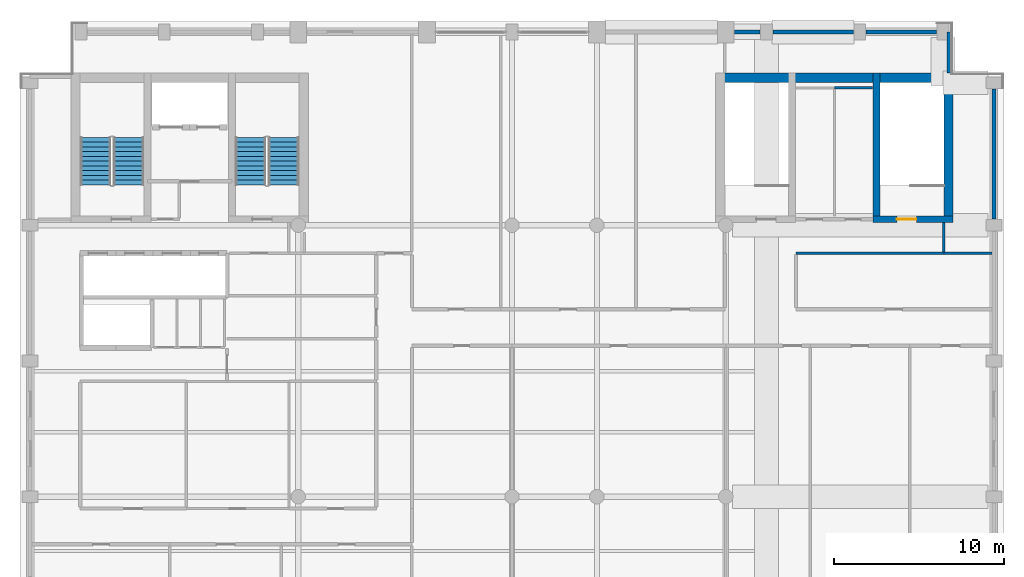
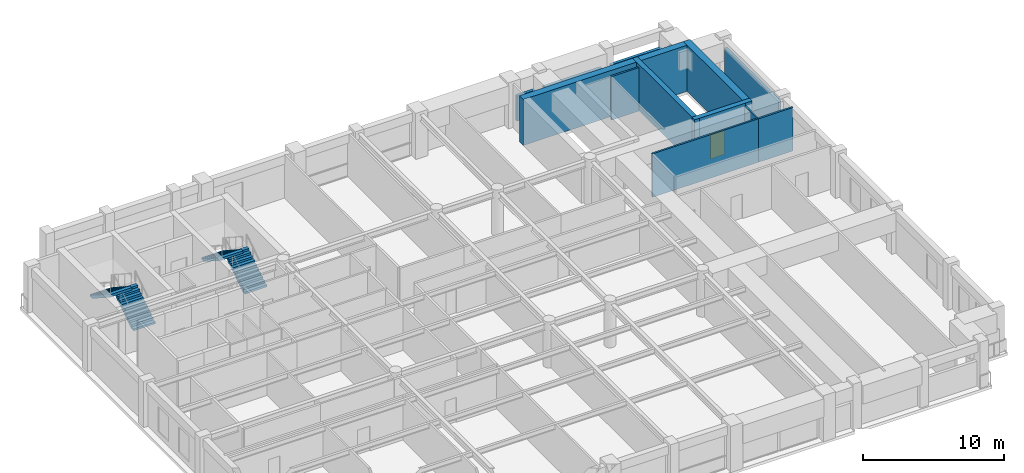
# One storey, part 11 of 14: 13 walls, 4 stair flights, 1 door, 1 opening, 2 elements without a shape of their own.
"""IFC4 building model written with IfcOpenShell, lengths in metres."""

import ifcopenshell
import ifcopenshell.guid

model = None  # the IFC model being written
_history = None  # IfcOwnerHistory: only IFC2X3 demands one
_inside = {}  # id of a spatial element -> (the spatial element, [elements in it])
_under = {}  # id of a project, library or spatial element -> (it, [spatial elements below it])
_declared = {}  # id of a project -> (the project, [libraries it declares])
_typed = {}  # id of a type object -> (the type object, [elements of that type])
_made_of = {}  # id of a material, layer set ... -> (it, [elements and type objects made of it])


def new_model(schema):
    """Start an empty IFC model of exactly this schema.

    Asked for "IFC4X3", IfcOpenShell would pick the latest addendum, in which some entities
    have other attributes; the version numbers below select the first issue.
    IFC2X3 requires an IfcOwnerHistory on every rooted entity: one is made here for all.
    """
    global model, _history
    if schema == "IFC4X3":
        model = ifcopenshell.file(schema_version=(4, 3, 0, 0))
    else:
        model = ifcopenshell.file(schema=schema)
    _inside.clear()
    _under.clear()
    _declared.clear()
    _typed.clear()
    _made_of.clear()
    _history = None
    if model.schema == "IFC2X3":
        org = make("IfcOrganization", Name="unknown")
        user = make(
            "IfcPersonAndOrganization",
            ThePerson=make("IfcPerson", FamilyName="unknown"),
            TheOrganization=org,
        )
        app = make(
            "IfcApplication",
            ApplicationDeveloper=org,
            Version="unknown",
            ApplicationFullName="unknown",
            ApplicationIdentifier="unknown",
        )
        _history = make(
            "IfcOwnerHistory",
            OwningUser=user,
            OwningApplication=app,
            ChangeAction="ADDED",
            CreationDate=0,
        )
    return model


def make(cls, **values):
    """One entity of the class cls with the attributes given. An attribute that is None is left unset."""
    return model.create_entity(
        cls, **{name: value for name, value in values.items() if value is not None}
    )


def rooted(cls, **values):
    """An entity with a GlobalId (a new one), such as an element, a storey or a relation."""
    return make(cls, GlobalId=ifcopenshell.guid.new(), OwnerHistory=_history, **values)


def si_unit(unit_type, name, prefix=None):
    """IfcSIUnit, for example si_unit("LENGTHUNIT", "METRE", prefix="MILLI")."""
    return make("IfcSIUnit", UnitType=unit_type, Prefix=prefix, Name=name)


def assignment(units):
    """IfcUnitAssignment: the units of a project."""
    return None if units is None else make("IfcUnitAssignment", Units=units)


def point(xyz):
    """IfcCartesianPoint."""
    return None if xyz is None else make("IfcCartesianPoint", Coordinates=xyz)


def direction(xyz):
    """IfcDirection."""
    return None if xyz is None else make("IfcDirection", DirectionRatios=xyz)


def frame(location, z_axis=None, x_axis=None):
    """IfcAxis2Placement3D, a coordinate frame: its origin and axes. An axis left out is left unset."""
    return make(
        "IfcAxis2Placement3D",
        Location=point(location),
        Axis=direction(z_axis),
        RefDirection=direction(x_axis),
    )


def frame_2d(location, x_axis=None):
    """IfcAxis2Placement2D, a coordinate frame in the plane: its origin and x axis."""
    return make(
        "IfcAxis2Placement2D", Location=point(location), RefDirection=direction(x_axis)
    )


def origin():
    """The frame at (0, 0, 0) with its axes left unset."""
    return frame((0.0, 0.0, 0.0))


def place(relative_to, where):
    """IfcLocalPlacement: puts the frame where relative to a parent placement (None: the world)."""
    return make(
        "IfcLocalPlacement", PlacementRelTo=relative_to, RelativePlacement=where
    )


def context(
    kind, dimensions, precision=None, world=None, true_north=None, identifier=None
):
    """IfcGeometricRepresentationContext, for example the 3D "Model" context."""
    return make(
        "IfcGeometricRepresentationContext",
        ContextIdentifier=identifier,
        ContextType=kind,
        CoordinateSpaceDimension=dimensions,
        Precision=precision,
        WorldCoordinateSystem=world,
        TrueNorth=true_north,
    )


def subcontext(parent, identifier, kind, view, scale=None):
    """IfcGeometricRepresentationSubContext, for example "Body" below "Model"."""
    return make(
        "IfcGeometricRepresentationSubContext",
        ContextIdentifier=identifier,
        ContextType=kind,
        ParentContext=parent,
        TargetScale=scale,
        TargetView=view,
    )


def project(units=None, contexts=None):
    """IfcProject with its units and contexts."""
    return rooted(
        "IfcProject",
        Name="project",
        RepresentationContexts=contexts,
        UnitsInContext=assignment(units),
    )


def spatial(cls, under=None, at=None, **own):
    """A site, building, storey or space (cls), placed at a placement, below another one or the project."""
    s = rooted(cls, ObjectPlacement=at, **own)
    if under is not None:
        _under.setdefault(under.id(), (under, []))[1].append(s)
    return s


def polyline(points):
    """IfcPolyline through the points."""
    return make("IfcPolyline", Points=[point(p) for p in points])


def profile(cls, at=None, kind="AREA", **sizes):
    """A parametric profile (cls). Its sizes go by their IFC names, for example OverallWidth=200.0."""
    return make(cls, ProfileType=kind, Position=at, **sizes)


def rectangle(**sizes):
    """IfcRectangleProfileDef."""
    return profile("IfcRectangleProfileDef", **sizes)


def outline(outer, holes=None, kind="AREA"):
    """IfcArbitraryClosedProfileDef: a profile drawn as a closed curve; with holes, ...WithVoids."""
    if holes is None:
        return make("IfcArbitraryClosedProfileDef", ProfileType=kind, OuterCurve=outer)
    return make(
        "IfcArbitraryProfileDefWithVoids",
        ProfileType=kind,
        OuterCurve=outer,
        InnerCurves=holes,
    )


def extrude(swept, where, along, depth):
    """IfcExtrudedAreaSolid: the profile swept, set in the frame where, extruded along a direction by depth."""
    return make(
        "IfcExtrudedAreaSolid",
        SweptArea=swept,
        Position=where,
        ExtrudedDirection=direction(along),
        Depth=depth,
    )


def shape(context_of_items, identifier, shape_type, items):
    """IfcShapeRepresentation: the items that make up one representation, for example the "Body"."""
    return make(
        "IfcShapeRepresentation",
        ContextOfItems=context_of_items,
        RepresentationIdentifier=identifier,
        RepresentationType=shape_type,
        Items=items,
    )


def material(Name=None, Category=None):
    """IfcMaterial."""
    return make("IfcMaterial", Name=Name, Category=Category)


def layer(
    of_material, thickness, ventilated=None, Name=None, Category=None, Priority=None
):
    """IfcMaterialLayer: one layer of a wall or slab, of a material (None: an air gap)."""
    return make(
        "IfcMaterialLayer",
        Material=of_material,
        LayerThickness=thickness,
        IsVentilated=ventilated,
        Name=Name,
        Category=Category,
        Priority=Priority,
    )


def layer_set(layers, Name=None):
    """IfcMaterialLayerSet."""
    return make("IfcMaterialLayerSet", MaterialLayers=layers, LayerSetName=Name)


def made_of(thing, what):
    """Note that an element or type object is made of a material, layer set ...; save() writes the relation."""
    if what is not None:
        _made_of.setdefault(what.id(), (what, []))[1].append(thing)
    return thing


def type_object(cls, material=None, **own):
    """A type object (cls), such as IfcWallType, which elements share."""
    return made_of(rooted(cls, **own), material)


def element(
    cls,
    number,
    at=None,
    inside=None,
    cuts=None,
    type_object=None,
    material=None,
    context=None,
    identifier="Body",
    shape_type=None,
    held_by="IfcProductDefinitionShape",
    body=None,
    shapes=None,
    **own,
):
    """One element of the class cls, such as IfcWall. Its Tag is "e" and its number.

    at: its placement. inside: the storey or other place that contains it. cuts: it is an
    opening in that element (IfcRelVoidsElement). A single representation is given by context,
    identifier, shape_type and body (its items); several are given by shapes. held_by: the class
    of the entity that holds the representations. save() writes the other relations.
    """
    e = rooted(cls, Tag="e%d" % number, ObjectPlacement=at, **own)
    if body is not None:
        shapes = [shape(context, identifier, shape_type, body)]
    if shapes is not None:
        e.Representation = make(held_by, Representations=shapes)
    if inside is not None:
        _inside.setdefault(inside.id(), (inside, []))[1].append(e)
    if cuts is not None:
        rooted(
            "IfcRelVoidsElement", RelatingBuildingElement=cuts, RelatedOpeningElement=e
        )
    if type_object is not None:
        _typed.setdefault(type_object.id(), (type_object, []))[1].append(e)
    return made_of(e, material)


def fill(opening, filler):
    """IfcRelFillsElement: the door or window that sits in an opening."""
    return rooted(
        "IfcRelFillsElement",
        RelatingOpeningElement=opening,
        RelatedBuildingElement=filler,
    )


def aggregate(whole, parts):
    """IfcRelAggregates: a whole, such as a stair, and the parts it consists of."""
    return rooted("IfcRelAggregates", RelatingObject=whole, RelatedObjects=parts)


def save(model, path):
    """Write the relations noted so far, then the file.

    IfcRelAggregates (storeys below a building ...), IfcRelContainedInSpatialStructure (elements
    in a storey), IfcRelDefinesByType, IfcRelAssociatesMaterial and IfcRelDeclares: one each for
    every whole, place, type object, material and project.
    """
    for whole, parts in _under.values():
        aggregate(whole, parts)
    for where, things in _inside.values():
        rooted(
            "IfcRelContainedInSpatialStructure",
            RelatedElements=things,
            RelatingStructure=where,
        )
    for kind, things in _typed.values():
        rooted("IfcRelDefinesByType", RelatedObjects=things, RelatingType=kind)
    for what, things in _made_of.values():
        rooted("IfcRelAssociatesMaterial", RelatedObjects=things, RelatingMaterial=what)
    for by, libraries in _declared.values():
        rooted("IfcRelDeclares", RelatingContext=by, RelatedDefinitions=libraries)
    model.write(path)


model = new_model("IFC4")

# Units and contexts
model_context = context("Model", 3, precision=1e-05, world=origin(), true_north=direction((0.0, 1.0)))
body_context = subcontext(model_context, "Body", "Model", "MODEL_VIEW")
ifc_project = project(units=[si_unit("LENGTHUNIT", "METRE"), si_unit("AREAUNIT", "SQUARE_METRE"), si_unit("VOLUMEUNIT", "CUBIC_METRE"), si_unit("PLANEANGLEUNIT", "RADIAN"), si_unit("MASSUNIT", "GRAM", prefix="KILO")], contexts=[model_context])

# Site, building, storey
site_placement = place(None, origin())
site = spatial("IfcSite", under=ifc_project, at=site_placement, CompositionType="ELEMENT")
building_placement = place(site_placement, origin())
building = spatial("IfcBuilding", under=site, at=building_placement, Name="Sulina Concourse Tower", CompositionType="ELEMENT")
storey_placement = place(building_placement, frame((0.0, 0.0, 285.0)))
storey = spatial("IfcBuildingStorey", under=building, at=storey_placement, Name="L69", CompositionType="ELEMENT", Elevation=285.0)

# Walls
ifc_material_1 = material(Name="Precast concrete C50/60", Category="concrete")
ifc_layer_1 = layer(ifc_material_1, 0.239990234375)
ifc_layer_set_1 = layer_set([ifc_layer_1], Name="Precast concrete C50/60")
wall_type_1 = type_object("IfcWallType", Name="Crown Precast Masonry-Frame Facade Wall 240mm", PredefinedType="SOLIDWALL", material=ifc_layer_set_1)
wall_1_placement = place(storey_placement, frame((42.1201171875, 45.39990234375, 0.0), z_axis=(0.0, 0.0, 1.0), x_axis=(1.0, 0.0, 0.0)))
element("IfcWall", 1, at=wall_1_placement, inside=storey, type_object=wall_type_1, Name="L69 exterior precast wall N8", PredefinedType="SOLIDWALL", context=body_context, shape_type="SweptSolid", body=[
    extrude(rectangle(XDim=1.509765625, YDim=0.239990234375, at=frame_2d((0.7548828125, 0.0))), origin(), (0.0, 0.0, 1.0), 2.1650390625),
])
wall_2_placement = place(storey_placement, frame((44.3701171875, 45.39990234375, 0.0), z_axis=(0.0, 0.0, 1.0), x_axis=(1.0, 0.0, 0.0)))
element("IfcWall", 2, at=wall_2_placement, inside=storey, type_object=wall_type_1, Name="L69 exterior precast wall N9", PredefinedType="SOLIDWALL", context=body_context, shape_type="SweptSolid", body=[
    extrude(rectangle(XDim=4.759765625, YDim=0.239990234375, at=frame_2d((2.3798828125, 0.0))), origin(), (0.0, 0.0, 1.0), 2.1650390625),
])
wall_3_placement = place(storey_placement, frame((49.8701171875, 45.39990234375, 0.0), z_axis=(0.0, 0.0, 1.0), x_axis=(1.0, 0.0, 0.0)))
element("IfcWall", 3, at=wall_3_placement, inside=storey, type_object=wall_type_1, Name="L69 exterior precast wall N10", PredefinedType="SOLIDWALL", context=body_context, shape_type="SweptSolid", body=[
    extrude(rectangle(XDim=4.159912109375, YDim=0.239990234375, at=frame_2d((2.080078125, 0.0))), origin(), (0.0, 0.0, 1.0), 2.1650390625),
])
wall_4_placement = place(storey_placement, frame((57.39990234375, 42.030029296875, 0.0), z_axis=(0.0, 0.0, 1.0), x_axis=(0.0, -1.0, 0.0)))
element("IfcWall", 4, at=wall_4_placement, inside=storey, type_object=wall_type_1, Name="L69 exterior precast wall E5", PredefinedType="SOLIDWALL", context=body_context, shape_type="SweptSolid", body=[
    extrude(rectangle(XDim=7.659912109375, YDim=0.239990234375, at=frame_2d((3.830078125, 0.0))), origin(), (0.0, 0.0, 1.0), 3.014892578125),
])
wall_5_placement = place(storey_placement, frame((54.77001953125, 45.39990234375, 0.0), z_axis=(0.0, 0.0, 1.0), x_axis=(0.0, -1.0, 0.0)))
element("IfcWall", 5, at=wall_5_placement, inside=storey, type_object=wall_type_1, Name="L69 exterior precast wall CNE1", PredefinedType="SOLIDWALL", context=body_context, shape_type="SweptSolid", body=[
    extrude(rectangle(XDim=2.414794921875, YDim=0.239990234375, at=frame_2d((1.20751953125, 0.0))), origin(), (0.0, 0.0, 1.0), 2.1650390625),
])
ifc_material_2 = material(Name="Gypsum board on steel stud", Category="steel")
ifc_layer_2 = layer(ifc_material_2, 0.14990234375)
ifc_layer_set_2 = layer_set([ifc_layer_2], Name="Gypsum board on steel stud")
wall_type_2 = type_object("IfcWallType", Name="Inter-Tenancy Acoustic Partition 150mm", PredefinedType="PARTITIONING", material=ifc_layer_set_2)
wall_6_placement = place(storey_placement, frame((45.75, 32.35009765625, 0.0), z_axis=(0.0, 0.0, 1.0), x_axis=(1.0, 0.0, 0.0)))
element("IfcWall", 6, at=wall_6_placement, inside=storey, type_object=wall_type_2, Name="L69 interior partition 029", PredefinedType="PARTITIONING", context=body_context, shape_type="SweptSolid", body=[
    extrude(rectangle(XDim=8.699951171875, YDim=0.14990234375, at=frame_2d((4.35009765625, 0.0))), origin(), (0.0, 0.0, 1.0), 3.77490234375),
])
wall_7_placement = place(storey_placement, frame((54.449951171875, 32.35009765625, 0.0), z_axis=(0.0, 0.0, 1.0), x_axis=(1.0, 0.0, 0.0)))
element("IfcWall", 7, at=wall_7_placement, inside=storey, type_object=wall_type_2, Name="L69 interior partition 030", PredefinedType="PARTITIONING", context=body_context, shape_type="SweptSolid", body=[
    extrude(rectangle(XDim=2.830078125, YDim=0.14990234375, at=frame_2d((1.4150390625, 0.0))), origin(), (0.0, 0.0, 1.0), 3.77490234375),
])
wall_8_placement = place(storey_placement, frame((48.0, 42.10009765625, 0.0), z_axis=(0.0, 0.0, 1.0), x_axis=(1.0, 0.0, 0.0)))
element("IfcWall", 8, at=wall_8_placement, inside=storey, type_object=wall_type_2, Name="L69 interior partition 034", PredefinedType="PARTITIONING", context=body_context, shape_type="SweptSolid", body=[
    extrude(rectangle(XDim=2.25, YDim=0.14990234375, at=frame_2d((1.125, 0.0))), origin(), (0.0, 0.0, 1.0), 3.77490234375),
])
wall_9_placement = place(storey_placement, frame((54.449951171875, 32.425048828125, 0.0), z_axis=(0.0, 0.0, 1.0), x_axis=(0.0, 1.0, 0.0)))
element("IfcWall", 9, at=wall_9_placement, inside=storey, type_object=wall_type_2, Name="L69 interior partition 069", PredefinedType="PARTITIONING", context=body_context, shape_type="SweptSolid", body=[
    extrude(rectangle(XDim=1.724853515625, YDim=0.14990234375, at=frame_2d((0.8623046875, 0.0))), origin(), (0.0, 0.0, 1.0), 3.77490234375),
])

# Wall, opening, door
ifc_material_3 = material(Name="Concrete C60/75", Category="concrete")
ifc_layer_3 = layer(ifc_material_3, 0.39990234375)
ifc_layer_set_3 = layer_set([ifc_layer_3], Name="Concrete C60/75")
wall_type_3 = type_object("IfcWallType", Name="Protected Stair Core Shear Wall 400mm", PredefinedType="SHEAR", material=ifc_layer_set_3)
wall_10_placement = place(storey_placement, frame((50.2900390625, 34.35009765625, 0.0), z_axis=(0.0, 0.0, 1.0), x_axis=(1.0, 0.0, 0.0)))
wall_10 = element("IfcWall", 10, at=wall_10_placement, inside=storey, type_object=wall_type_3, Name="L69 east core shear wall CW-ES2", PredefinedType="SHEAR", context=body_context, shape_type="SweptSolid", body=[
    extrude(rectangle(XDim=4.7099609375, YDim=0.39990234375, at=frame_2d((2.35498046875, 0.0))), origin(), (0.0, 0.0, 1.0), 4.0),
])
opening_placement = place(wall_10_placement, frame((1.39990234375, 0.0, 0.0)))
opening = element("IfcOpeningElement", 11, at=opening_placement, cuts=wall_10, Name="Opening DR-98", PredefinedType="OPENING", context=body_context, shape_type="SweptSolid", body=[
    extrude(rectangle(XDim=1.14990234375, YDim=2.10009765625, at=frame_2d((0.574951171875, 1.050048828125))), frame((0.0, 0.2099609375, 0.0), z_axis=(0.0, -1.0, 0.0), x_axis=(1.0, 0.0, 0.0)), (0.0, 0.0, 1.0), 0.419921875),
])
ifc_material_4 = material(Name="Fire-rated steel door leaf", Category="steel")
door_type = type_object("IfcDoorType", Name="Crown Transfer Protected Stair Fire Door 1150x2100", OperationType="NOTDEFINED", PredefinedType="DOOR", material=ifc_material_4)
door_placement = place(opening_placement, origin())
door = element("IfcDoor", 12, at=door_placement, inside=storey, type_object=door_type, Name="L69 stair ST-4 south lobby fire door", OperationType="SINGLE_SWING_RIGHT", OverallHeight=2.10009765625, OverallWidth=1.14990234375, PredefinedType="DOOR", context=body_context, shape_type="SweptSolid", body=[
    extrude(rectangle(XDim=1.14990234375, YDim=2.10009765625, at=frame_2d((0.574951171875, 1.050048828125))), frame((0.0, 0.02490234375, 0.0), z_axis=(0.0, -1.0, 0.0), x_axis=(1.0, 0.0, 0.0)), (0.0, 0.0, 1.0), 0.050048828125),
])
fill(opening, door)

# Walls
wall_11_placement = place(storey_placement, frame((50.489990234375, 34.14990234375, 0.0), z_axis=(0.0, 0.0, 1.0), x_axis=(0.0, 1.0, 0.0)))
element("IfcWall", 13, at=wall_11_placement, inside=storey, type_object=wall_type_3, Name="L69 east core shear wall SW-ST4", PredefinedType="SHEAR", context=body_context, shape_type="SweptSolid", body=[
    extrude(rectangle(XDim=8.830078125, YDim=0.39990234375, at=frame_2d((4.4150390625, 0.0))), origin(), (0.0, 0.0, 1.0), 4.0),
])
ifc_material_5 = material(Name="Concrete C50/60", Category="concrete")
ifc_layer_4 = layer(ifc_material_5, 0.550048828125)
ifc_layer_set_4 = layer_set([ifc_layer_4], Name="Concrete C50/60")
wall_type_4 = type_object("IfcWallType", Name="Upper Core Shear Wall 550mm", PredefinedType="SHEAR", material=ifc_layer_set_4)
wall_12_placement = place(storey_placement, frame((41.0, 42.705078125, 0.0), z_axis=(0.0, 0.0, 1.0), x_axis=(1.0, 0.0, 0.0)))
element("IfcWall", 14, at=wall_12_placement, inside=storey, type_object=wall_type_4, Name="L69 east core shear wall CW-EN", PredefinedType="SHEAR", context=body_context, shape_type="SweptSolid", body=[
    extrude(rectangle(XDim=14.0, YDim=0.550048828125, at=frame_2d((7.0, 0.0))), origin(), (0.0, 0.0, 1.0), 4.0),
])
wall_13_placement = place(storey_placement, frame((54.72509765625, 34.14990234375, 0.0), z_axis=(0.0, 0.0, 1.0), x_axis=(0.0, 1.0, 0.0)))
element("IfcWall", 15, at=wall_13_placement, inside=storey, type_object=wall_type_4, Name="L69 east core shear wall CW-EE", PredefinedType="SHEAR", context=body_context, shape_type="SweptSolid", body=[
    extrude(rectangle(XDim=8.830078125, YDim=0.550048828125, at=frame_2d((4.4150390625, 0.0))), origin(), (0.0, 0.0, 1.0), 4.0),
])

# Stair, stair flights
ifc_material_6 = material(Name="Concrete C50/60", Category="concrete")
stair_type = type_object("IfcStairType", Name="Primary Core Dog-Leg Exit Stair 1800mm", PredefinedType="HALF_TURN_STAIR", material=ifc_material_6)
stair_1_placement = place(storey_placement, origin())
stair_1 = element("IfcStair", 16, at=stair_1_placement, inside=storey, type_object=stair_type, Name="L69 ST-1", PredefinedType="HALF_TURN_STAIR")
ifc_material_7 = material(Name="Concrete C50/60", Category="concrete")
stair_flight_type = type_object("IfcStairFlightType", Name="Primary Core Dog-Leg Exit Stair 1800mm Flight", PredefinedType="STRAIGHT", material=ifc_material_7)
stair_flight_1_placement = place(storey_placement, frame((6.405029296875, 36.375, 0.0), z_axis=(0.0, 0.0, 1.0), x_axis=(0.0, 1.0, 0.0)))
stair_flight_1 = element("IfcStairFlight", 17, at=stair_flight_1_placement, type_object=stair_flight_type, Name="ST-1 flight 1", NumberOfRisers=11, NumberOfTreads=10, PredefinedType="STRAIGHT", RiserHeight=0.181818182, TreadLength=0.28, context=body_context, shape_type="SweptSolid", body=[
    extrude(outline(polyline([(0.0, 0.0), (0.0, 0.181884765625), (0.280029296875, 0.181884765625), (0.280029296875, 0.363525390625), (0.56005859375, 0.363525390625), (0.56005859375, 0.54541015625), (0.840087890625, 0.54541015625), (0.840087890625, 0.727294921875), (1.1201171875, 0.727294921875), (1.1201171875, 0.9091796875), (1.39990234375, 0.9091796875), (1.39990234375, 1.0908203125), (1.679931640625, 1.0908203125), (1.679931640625, 1.272705078125), (1.9599609375, 1.272705078125), (1.9599609375, 1.45458984375), (2.239990234375, 1.45458984375), (2.239990234375, 1.636474609375), (2.52001953125, 1.636474609375), (2.52001953125, 1.818115234375), (2.800048828125, 1.818115234375), (2.800048828125, 2.0), (2.800048828125, 1.603759765625), (0.330322265625, 0.0), (0.0, 0.0)])), frame((0.0, 0.89990234375, 0.0), z_axis=(0.0, -1.0, 0.0), x_axis=(1.0, 0.0, 0.0)), (0.0, 0.0, 1.0), 1.800048828125),
])
stair_flight_2_placement = place(storey_placement, frame((4.455078125, 39.175048828125, 2.0), z_axis=(0.0, 0.0, 1.0), x_axis=(0.0, -1.0, 0.0)))
stair_flight_2 = element("IfcStairFlight", 18, at=stair_flight_2_placement, type_object=stair_flight_type, Name="ST-1 flight 2", NumberOfRisers=11, NumberOfTreads=10, PredefinedType="STRAIGHT", RiserHeight=0.181818182, TreadLength=0.28, context=body_context, shape_type="SweptSolid", body=[
    extrude(outline(polyline([(0.0, 0.0), (0.0, 0.181884765625), (0.280029296875, 0.181884765625), (0.280029296875, 0.363525390625), (0.56005859375, 0.363525390625), (0.56005859375, 0.54541015625), (0.840087890625, 0.54541015625), (0.840087890625, 0.727294921875), (1.1201171875, 0.727294921875), (1.1201171875, 0.9091796875), (1.39990234375, 0.9091796875), (1.39990234375, 1.0908203125), (1.679931640625, 1.0908203125), (1.679931640625, 1.272705078125), (1.9599609375, 1.272705078125), (1.9599609375, 1.45458984375), (2.239990234375, 1.45458984375), (2.239990234375, 1.636474609375), (2.52001953125, 1.636474609375), (2.52001953125, 1.818115234375), (2.800048828125, 1.818115234375), (2.800048828125, 2.0), (2.800048828125, 1.603759765625), (0.330322265625, 0.0), (0.0, 0.0)])), frame((0.0, 0.89990234375, 0.0), z_axis=(0.0, -1.0, 0.0), x_axis=(1.0, 0.0, 0.0)), (0.0, 0.0, 1.0), 1.800048828125),
])
aggregate(stair_1, [stair_flight_1, stair_flight_2])

stair_2_placement = place(storey_placement, origin())
stair_2 = element("IfcStair", 19, at=stair_2_placement, inside=storey, type_object=stair_type, Name="L69 ST-2", PredefinedType="HALF_TURN_STAIR")
stair_flight_3_placement = place(storey_placement, frame((15.544921875, 36.375, 0.0), z_axis=(0.0, 0.0, 1.0), x_axis=(0.0, 1.0, 0.0)))
stair_flight_3 = element("IfcStairFlight", 20, at=stair_flight_3_placement, type_object=stair_flight_type, Name="ST-2 flight 1", NumberOfRisers=11, NumberOfTreads=10, PredefinedType="STRAIGHT", RiserHeight=0.181818182, TreadLength=0.28, context=body_context, shape_type="SweptSolid", body=[
    extrude(outline(polyline([(0.0, 0.0), (0.0, 0.181884765625), (0.280029296875, 0.181884765625), (0.280029296875, 0.363525390625), (0.56005859375, 0.363525390625), (0.56005859375, 0.54541015625), (0.840087890625, 0.54541015625), (0.840087890625, 0.727294921875), (1.1201171875, 0.727294921875), (1.1201171875, 0.9091796875), (1.39990234375, 0.9091796875), (1.39990234375, 1.0908203125), (1.679931640625, 1.0908203125), (1.679931640625, 1.272705078125), (1.9599609375, 1.272705078125), (1.9599609375, 1.45458984375), (2.239990234375, 1.45458984375), (2.239990234375, 1.636474609375), (2.52001953125, 1.636474609375), (2.52001953125, 1.818115234375), (2.800048828125, 1.818115234375), (2.800048828125, 2.0), (2.800048828125, 1.603759765625), (0.330322265625, 0.0), (0.0, 0.0)])), frame((0.0, 0.89990234375, 0.0), z_axis=(0.0, -1.0, 0.0), x_axis=(1.0, 0.0, 0.0)), (0.0, 0.0, 1.0), 1.800048828125),
])
stair_flight_4_placement = place(storey_placement, frame((13.594970703125, 39.175048828125, 2.0), z_axis=(0.0, 0.0, 1.0), x_axis=(0.0, -1.0, 0.0)))
stair_flight_4 = element("IfcStairFlight", 21, at=stair_flight_4_placement, type_object=stair_flight_type, Name="ST-2 flight 2", NumberOfRisers=11, NumberOfTreads=10, PredefinedType="STRAIGHT", RiserHeight=0.181818182, TreadLength=0.28, context=body_context, shape_type="SweptSolid", body=[
    extrude(outline(polyline([(0.0, 0.0), (0.0, 0.181884765625), (0.280029296875, 0.181884765625), (0.280029296875, 0.363525390625), (0.56005859375, 0.363525390625), (0.56005859375, 0.54541015625), (0.840087890625, 0.54541015625), (0.840087890625, 0.727294921875), (1.1201171875, 0.727294921875), (1.1201171875, 0.9091796875), (1.39990234375, 0.9091796875), (1.39990234375, 1.0908203125), (1.679931640625, 1.0908203125), (1.679931640625, 1.272705078125), (1.9599609375, 1.272705078125), (1.9599609375, 1.45458984375), (2.239990234375, 1.45458984375), (2.239990234375, 1.636474609375), (2.52001953125, 1.636474609375), (2.52001953125, 1.818115234375), (2.800048828125, 1.818115234375), (2.800048828125, 2.0), (2.800048828125, 1.603759765625), (0.330322265625, 0.0), (0.0, 0.0)])), frame((0.0, 0.89990234375, 0.0), z_axis=(0.0, -1.0, 0.0), x_axis=(1.0, 0.0, 0.0)), (0.0, 0.0, 1.0), 1.800048828125),
])
aggregate(stair_2, [stair_flight_3, stair_flight_4])

save(model, "model.ifc")
